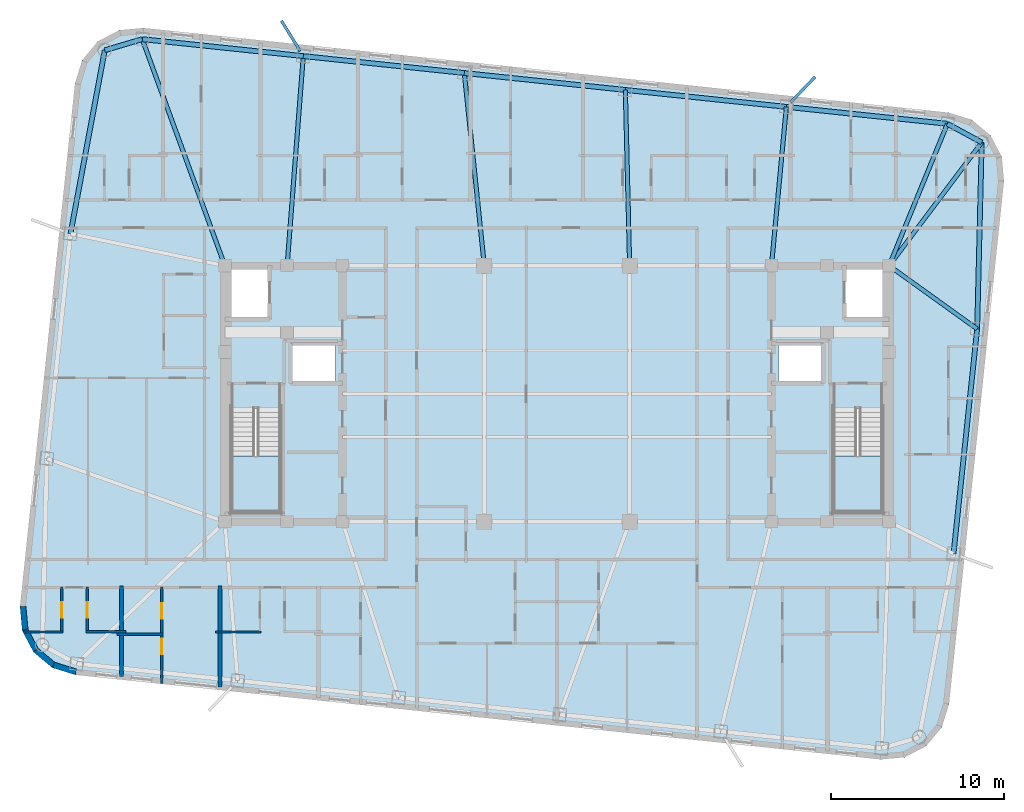
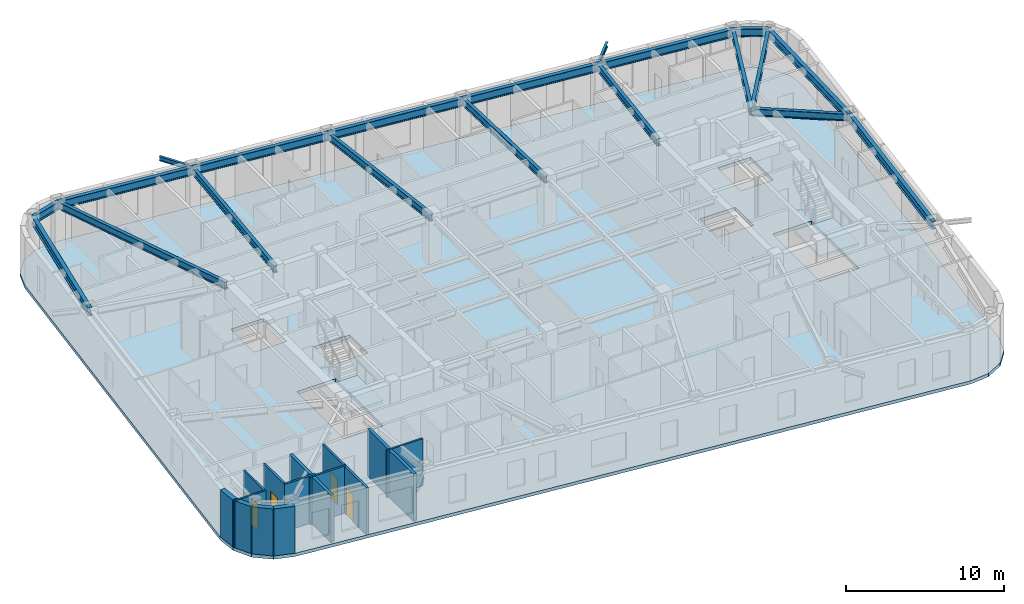
# One storey, part 2 of 11: 20 beams, 14 walls, 4 doors, 3 slabs, 4 openings, 2 elements without a shape of their own.
"""IFC4 building model written with IfcOpenShell, lengths in metres."""

from ifc_helpers import new_model, si_unit, direction, frame, frame_2d, origin, origin_2d, place, context, subcontext, project, spatial, polyline, rectangle, i_section, outline, extrude, material, layer, layer_set, material_profile, profile_set, type_object, element, fill, aggregate, save


model = new_model("IFC4")

# Units and contexts
model_context = context("Model", 3, precision=1e-05, world=origin(), true_north=direction((0.0, 1.0)))
body_context = subcontext(model_context, "Body", "Model", "MODEL_VIEW")
ifc_project = project(units=[si_unit("LENGTHUNIT", "METRE"), si_unit("AREAUNIT", "SQUARE_METRE"), si_unit("VOLUMEUNIT", "CUBIC_METRE"), si_unit("PLANEANGLEUNIT", "RADIAN"), si_unit("MASSUNIT", "GRAM", prefix="KILO")], contexts=[model_context])

# Site, building, storey
site_placement = place(None, origin())
site = spatial("IfcSite", under=ifc_project, at=site_placement, CompositionType="ELEMENT")
building_placement = place(site_placement, origin())
building = spatial("IfcBuilding", under=site, at=building_placement, Name="Voryun Gate Residences", CompositionType="ELEMENT")
storey_placement = place(building_placement, frame((0.0, 0.0, 287.300048828125)))
storey = spatial("IfcBuildingStorey", under=building, at=storey_placement, Name="L71", CompositionType="ELEMENT", Elevation=287.300048828125)

# Beams
ifc_material_1 = material(Name="Steel SM355", Category="steel")
ifc_material_profile_1 = material_profile(ifc_material_1, i_section(OverallWidth=0.169921875, OverallDepth=0.340087890625, WebThickness=0.008056640625, FlangeThickness=0.013916015625, FilletRadius=0.01806640625, at=origin_2d()), Name="H-340x170x8x14")
ifc_profile_set_1 = profile_set([ifc_material_profile_1], Name="Steel SM355")
beam_type_1 = type_object("IfcBeamType", Name="BM_BALC_EDGE", PredefinedType="JOIST", material=ifc_profile_set_1)
for number, where, z_axis, x_axis, name in (
    (1, (13.502197265625, 16.8359375, 3.46484375), (0.691211830003, 0.722652202698, 0.0), (-0.722652202698, 0.691211830003, 0.0), "BM-L71-BALBRK-N2"),
    (2, (-14.849853515625, 19.81591796875, 3.46484375), (-0.525903558597, 0.850544206408, 0.0), (-0.850544206408, -0.525903558597, 0.0), "BM-L71-BALBRK-N5"),
):
    element("IfcBeam", number, at=place(storey_placement, frame(where, z_axis=z_axis, x_axis=x_axis)), inside=storey, type_object=beam_type_1, Name=name, PredefinedType="JOIST", context=body_context, shape_type="SweptSolid", body=[
        extrude(i_section(OverallWidth=0.169921875, OverallDepth=0.340087890625, WebThickness=0.008056640625, FlangeThickness=0.013916015625, FilletRadius=0.01806640625, at=origin_2d()), origin(), (0.0, 0.0, 1.0), 2.050048828125),
    ])
ifc_material_2 = material(Name="Steel SM355", Category="steel")
ifc_material_profile_2 = material_profile(ifc_material_2, i_section(OverallWidth=0.280029296875, OverallDepth=0.6201171875, WebThickness=0.013916015625, FlangeThickness=0.02197265625, FilletRadius=0.01806640625, at=origin_2d()), Name="H-620x280x14x22")
ifc_profile_set_2 = profile_set([ifc_material_profile_2], Name="Steel SM355")
beam_type_2 = type_object("IfcBeamType", Name="BM_EXO_SPANDREL_H", PredefinedType="SPANDREL", material=ifc_profile_set_2)
beam_1_placement = place(storey_placement, frame((22.922607421875, -9.25244140625, 3.324951171875), z_axis=(0.104528209082, 0.994521922084, 0.0), x_axis=(-0.994521922084, 0.104528209082, 0.0)))
element("IfcBeam", 3, at=beam_1_placement, inside=storey, type_object=beam_type_2, Name="BM-L71-SPAND-08", PredefinedType="SPANDREL", context=body_context, shape_type="SweptSolid", body=[
    extrude(i_section(OverallWidth=0.280029296875, OverallDepth=0.6201171875, WebThickness=0.013916015625, FlangeThickness=0.02197265625, FilletRadius=0.01806640625, at=origin_2d()), origin(), (0.0, 0.0, 1.0), 13.06787109375),
])
beam_2_placement = place(storey_placement, frame((24.28857421875, 3.743896484375, 3.324951171875), z_axis=(0.024534711967, 0.999698978647, 0.0), x_axis=(-0.999698978647, 0.024534711967, 0.0)))
element("IfcBeam", 4, at=beam_2_placement, inside=storey, type_object=beam_type_2, Name="BM-L71-SPAND-09", PredefinedType="SPANDREL", context=body_context, shape_type="SweptSolid", body=[
    extrude(i_section(OverallWidth=0.280029296875, OverallDepth=0.6201171875, WebThickness=0.013916015625, FlangeThickness=0.02197265625, FilletRadius=0.01806640625, at=origin_2d()), origin(), (0.0, 0.0, 1.0), 10.78662109375),
])
beam_3_placement = place(storey_placement, frame((24.55322265625, 14.52734375, 3.324951171875), z_axis=(-0.878844363117, 0.477108567746, 0.0), x_axis=(-0.477108567746, -0.878844363117, 0.0)))
element("IfcBeam", 5, at=beam_3_placement, inside=storey, type_object=beam_type_2, Name="BM-L71-SPAND-10", PredefinedType="SPANDREL", context=body_context, shape_type="SweptSolid", body=[
    extrude(i_section(OverallWidth=0.280029296875, OverallDepth=0.6201171875, WebThickness=0.013916015625, FlangeThickness=0.02197265625, FilletRadius=0.01806640625, at=origin_2d()), origin(), (0.0, 0.0, 1.0), 2.257568359375),
])
beam_4_placement = place(storey_placement, frame((22.569091796875, 15.6044921875, 3.324951171875), z_axis=(-0.994520592114, 0.104540862157, 0.0), x_axis=(-0.104540862157, -0.994520592114, 0.0)))
element("IfcBeam", 6, at=beam_4_placement, inside=storey, type_object=beam_type_2, Name="BM-L71-SPAND-11", PredefinedType="SPANDREL", context=body_context, shape_type="SweptSolid", body=[
    extrude(i_section(OverallWidth=0.280029296875, OverallDepth=0.6201171875, WebThickness=0.013916015625, FlangeThickness=0.02197265625, FilletRadius=0.01806640625, at=origin_2d()), origin(), (0.0, 0.0, 1.0), 9.360107421875),
])
beam_5_placement = place(storey_placement, frame((13.26025390625, 16.5830078125, 3.324951171875), z_axis=(-0.994523018663, 0.104517775278, 0.0), x_axis=(-0.104517775278, -0.994523018663, 0.0)))
element("IfcBeam", 7, at=beam_5_placement, inside=storey, type_object=beam_type_2, Name="BM-L71-SPAND-12", PredefinedType="SPANDREL", context=body_context, shape_type="SweptSolid", body=[
    extrude(i_section(OverallWidth=0.280029296875, OverallDepth=0.6201171875, WebThickness=0.013916015625, FlangeThickness=0.02197265625, FilletRadius=0.01806640625, at=origin_2d()), origin(), (0.0, 0.0, 1.0), 9.35986328125),
])
for number, where, z_axis, x_axis, name in (
    (8, (3.95166015625, 17.561279296875, 3.324951171875), (-0.994520592114, 0.104540862157, 0.0), (-0.104540862157, -0.994520592114, 0.0), "BM-L71-SPAND-13"),
    (9, (-5.357177734375, 18.539794921875, 3.324951171875), (-0.994523303591, 0.104515064059, 0.0), (-0.104515064059, -0.994523303591, 0.0), "BM-L71-SPAND-14"),
):
    element("IfcBeam", number, at=place(storey_placement, frame(where, z_axis=z_axis, x_axis=x_axis)), inside=storey, type_object=beam_type_2, Name=name, PredefinedType="SPANDREL", context=body_context, shape_type="SweptSolid", body=[
        extrude(i_section(OverallWidth=0.280029296875, OverallDepth=0.6201171875, WebThickness=0.013916015625, FlangeThickness=0.02197265625, FilletRadius=0.01806640625, at=origin_2d()), origin(), (0.0, 0.0, 1.0), 9.360107421875),
    ])
beam_6_placement = place(storey_placement, frame((-14.666015625, 19.51806640625, 3.324951171875), z_axis=(-0.994520307047, 0.104543574031, 0.0), x_axis=(-0.104543574031, -0.994520307047, 0.0)))
element("IfcBeam", 10, at=beam_6_placement, inside=storey, type_object=beam_type_2, Name="BM-L71-SPAND-15", PredefinedType="SPANDREL", context=body_context, shape_type="SweptSolid", body=[
    extrude(i_section(OverallWidth=0.280029296875, OverallDepth=0.6201171875, WebThickness=0.013916015625, FlangeThickness=0.02197265625, FilletRadius=0.01806640625, at=origin_2d()), origin(), (0.0, 0.0, 1.0), 9.35986328125),
])
beam_7_placement = place(storey_placement, frame((-23.974609375, 20.49658203125, 3.324951171875), z_axis=(-0.958805748412, -0.28406255792, 0.0), x_axis=(0.28406255792, -0.958805748412, 0.0)))
element("IfcBeam", 11, at=beam_7_placement, inside=storey, type_object=beam_type_2, Name="BM-L71-SPAND-16", PredefinedType="SPANDREL", context=body_context, shape_type="SweptSolid", body=[
    extrude(i_section(OverallWidth=0.280029296875, OverallDepth=0.6201171875, WebThickness=0.013916015625, FlangeThickness=0.02197265625, FilletRadius=0.01806640625, at=origin_2d()), origin(), (0.0, 0.0, 1.0), 2.2578125),
])
beam_8_placement = place(storey_placement, frame((-26.139404296875, 19.855224609375, 3.324951171875), z_axis=(-0.183852585596, -0.982953827384, 0.0), x_axis=(0.982953827384, -0.183852585596, 0.0)))
element("IfcBeam", 12, at=beam_8_placement, inside=storey, type_object=beam_type_2, Name="BM-L71-SPAND-17", PredefinedType="SPANDREL", context=body_context, shape_type="SweptSolid", body=[
    extrude(i_section(OverallWidth=0.280029296875, OverallDepth=0.6201171875, WebThickness=0.013916015625, FlangeThickness=0.02197265625, FilletRadius=0.01806640625, at=origin_2d()), origin(), (0.0, 0.0, 1.0), 10.78662109375),
])
ifc_material_3 = material(Name="Steel SM355", Category="steel")
ifc_material_profile_3 = material_profile(ifc_material_3, i_section(OverallWidth=0.239990234375, OverallDepth=0.550048828125, WebThickness=0.011962890625, FlangeThickness=0.02001953125, FilletRadius=0.01806640625, at=origin_2d()), Name="H-550x240x12x20")
ifc_profile_set_3 = profile_set([ifc_material_profile_3], Name="Steel SM355")
beam_type_3 = type_object("IfcBeamType", Name="BM_GIRD_550", PredefinedType="USERDEFINED", material=ifc_profile_set_3)
beam_9_placement = place(storey_placement, frame((19.199951171875, 7.39990234375, 3.35986328125), z_axis=(0.81212442094, -0.583484297058, 0.0), x_axis=(0.583484297058, 0.81212442094, 0.0)))
element("IfcBeam", 13, at=beam_9_placement, inside=storey, type_object=beam_type_3, Name="BM-L71-RAD-E2", ObjectType="GIRDER", PredefinedType="USERDEFINED", context=body_context, shape_type="SweptSolid", body=[
    extrude(i_section(OverallWidth=0.239990234375, OverallDepth=0.550048828125, WebThickness=0.011962890625, FlangeThickness=0.02001953125, FilletRadius=0.01806640625, at=origin_2d()), origin(), (0.0, 0.0, 1.0), 6.265869140625),
])
beam_10_placement = place(storey_placement, frame((19.199951171875, 7.39990234375, 3.35986328125), z_axis=(0.60055201327, 0.799585692316, 0.0), x_axis=(-0.799585692316, 0.60055201327, 0.0)))
element("IfcBeam", 14, at=beam_10_placement, inside=storey, type_object=beam_type_3, Name="BM-L71-RAD-CNE", ObjectType="GIRDER", PredefinedType="USERDEFINED", context=body_context, shape_type="SweptSolid", body=[
    extrude(i_section(OverallWidth=0.239990234375, OverallDepth=0.550048828125, WebThickness=0.011962890625, FlangeThickness=0.02001953125, FilletRadius=0.01806640625, at=origin_2d()), origin(), (0.0, 0.0, 1.0), 8.913818359375),
])
beam_11_placement = place(storey_placement, frame((19.199951171875, 7.39990234375, 3.35986328125), z_axis=(0.379860811741, 0.925043655026, 0.0), x_axis=(-0.925043655026, 0.379860811741, 0.0)))
element("IfcBeam", 15, at=beam_11_placement, inside=storey, type_object=beam_type_3, Name="BM-L71-RAD-N1", ObjectType="GIRDER", PredefinedType="USERDEFINED", context=body_context, shape_type="SweptSolid", body=[
    extrude(i_section(OverallWidth=0.239990234375, OverallDepth=0.550048828125, WebThickness=0.011962890625, FlangeThickness=0.02001953125, FilletRadius=0.01806640625, at=origin_2d()), origin(), (0.0, 0.0, 1.0), 8.869384765625),
])
beam_12_placement = place(storey_placement, frame((12.39990234375, 7.39990234375, 3.35986328125), z_axis=(0.093280030115, 0.995639912811, 0.0), x_axis=(-0.995639912811, 0.093280030115, 0.0)))
element("IfcBeam", 16, at=beam_12_placement, inside=storey, type_object=beam_type_3, Name="BM-L71-RAD-N2", ObjectType="GIRDER", PredefinedType="USERDEFINED", context=body_context, shape_type="SweptSolid", body=[
    extrude(i_section(OverallWidth=0.239990234375, OverallDepth=0.550048828125, WebThickness=0.011962890625, FlangeThickness=0.02001953125, FilletRadius=0.01806640625, at=origin_2d()), origin(), (0.0, 0.0, 1.0), 9.223388671875),
])
beam_13_placement = place(storey_placement, frame((4.199951171875, 7.39990234375, 3.35986328125), z_axis=(-0.024427489288, 0.999701604364, 0.0), x_axis=(-0.999701604364, -0.024427489288, 0.0)))
element("IfcBeam", 17, at=beam_13_placement, inside=storey, type_object=beam_type_3, Name="BM-L71-RAD-N3", ObjectType="GIRDER", PredefinedType="USERDEFINED", context=body_context, shape_type="SweptSolid", body=[
    extrude(i_section(OverallWidth=0.239990234375, OverallDepth=0.550048828125, WebThickness=0.011962890625, FlangeThickness=0.02001953125, FilletRadius=0.01806640625, at=origin_2d()), origin(), (0.0, 0.0, 1.0), 10.164306640625),
])
beam_14_placement = place(storey_placement, frame((-4.199951171875, 7.39990234375, 3.35986328125), z_axis=(-0.103325291149, 0.994647618109, 0.0), x_axis=(-0.994647618109, -0.103325291149, 0.0)))
element("IfcBeam", 18, at=beam_14_placement, inside=storey, type_object=beam_type_3, Name="BM-L71-RAD-N4", ObjectType="GIRDER", PredefinedType="USERDEFINED", context=body_context, shape_type="SweptSolid", body=[
    extrude(i_section(OverallWidth=0.239990234375, OverallDepth=0.550048828125, WebThickness=0.011962890625, FlangeThickness=0.02001953125, FilletRadius=0.01806640625, at=origin_2d()), origin(), (0.0, 0.0, 1.0), 11.199951171875),
])
beam_15_placement = place(storey_placement, frame((-15.60009765625, 7.39990234375, 3.35986328125), z_axis=(0.07685317718, 0.997042420942, 0.0), x_axis=(-0.997042420942, 0.07685317718, 0.0)))
element("IfcBeam", 19, at=beam_15_placement, inside=storey, type_object=beam_type_3, Name="BM-L71-RAD-N5", ObjectType="GIRDER", PredefinedType="USERDEFINED", context=body_context, shape_type="SweptSolid", body=[
    extrude(i_section(OverallWidth=0.239990234375, OverallDepth=0.550048828125, WebThickness=0.011962890625, FlangeThickness=0.02001953125, FilletRadius=0.01806640625, at=origin_2d()), origin(), (0.0, 0.0, 1.0), 12.154052734375),
])
beam_16_placement = place(storey_placement, frame((-19.199951171875, 7.39990234375, 3.35986328125), z_axis=(-0.342517773666, 0.939511348906, 0.0), x_axis=(-0.939511348906, -0.342517773666, 0.0)))
element("IfcBeam", 20, at=beam_16_placement, inside=storey, type_object=beam_type_3, Name="BM-L71-RAD-N6", ObjectType="GIRDER", PredefinedType="USERDEFINED", context=body_context, shape_type="SweptSolid", body=[
    extrude(i_section(OverallWidth=0.239990234375, OverallDepth=0.550048828125, WebThickness=0.011962890625, FlangeThickness=0.02001953125, FilletRadius=0.01806640625, at=origin_2d()), origin(), (0.0, 0.0, 1.0), 13.93994140625),
])

# Slab
ifc_material_4 = material(Name="Concrete C40/50", Category="concrete")
ifc_layer_1 = layer(ifc_material_4, 0.25, Name="SLB_RES_250")
ifc_layer_set_1 = layer_set([ifc_layer_1], Name="Concrete C40/50")
slab_type_1 = type_object("IfcSlabType", Name="SLB_RES_250", PredefinedType="FLOOR", material=ifc_layer_set_1)
slab_1_placement = place(storey_placement, frame((0.0, 0.0, -0.25)))
element("IfcSlab", 21, at=slab_1_placement, inside=storey, type_object=slab_type_1, Name="L71 Structural Floor Slab", PredefinedType="FLOOR", context=body_context, shape_type="SweptSolid", body=[
    extrude(outline(polyline([(-27.8369140625, -16.2509765625), (-29.178466796875, -15.83447265625), (-30.25830078125, -14.936279296875), (-30.912353515625, -13.693115234375), (-31.041015625, -12.29443359375), (-27.86328125, 17.93896484375), (-27.44677734375, 19.280517578125), (-26.548583984375, 20.3603515625), (-25.305419921875, 21.014404296875), (-23.90673828125, 21.14306640625), (22.636962890625, 16.2509765625), (23.978515625, 15.83447265625), (25.058349609375, 14.936279296875), (25.71240234375, 13.693115234375), (25.8408203125, 12.29443359375), (22.663330078125, -17.93896484375), (22.246826171875, -19.280517578125), (21.3486328125, -20.3603515625), (20.10546875, -21.014404296875), (18.706787109375, -21.14306640625), (-27.8369140625, -16.2509765625)]), holes=[polyline([(-15.97509765625, -0.840087890625), (-18.824951171875, -0.840087890625), (-18.824951171875, -6.85009765625), (-15.97509765625, -6.85009765625), (-15.97509765625, -0.840087890625)]), polyline([(18.824951171875, -6.85009765625), (18.824951171875, -0.840087890625), (15.97509765625, -0.840087890625), (15.97509765625, -6.85009765625), (18.824951171875, -6.85009765625)]), polyline([(-12.800048828125, 2.89990234375), (-15.39990234375, 2.89990234375), (-15.39990234375, 0.60009765625), (-12.800048828125, 0.60009765625), (-12.800048828125, 2.89990234375)]), polyline([(12.800048828125, 2.89990234375), (12.800048828125, 0.60009765625), (15.39990234375, 0.60009765625), (15.39990234375, 2.89990234375), (12.800048828125, 2.89990234375)]), polyline([(-16.60009765625, 7.199951171875), (-19.0, 7.199951171875), (-19.0, 4.300048828125), (-16.60009765625, 4.300048828125), (-16.60009765625, 7.199951171875)]), polyline([(19.0, 7.199951171875), (16.60009765625, 7.199951171875), (16.60009765625, 4.300048828125), (19.0, 4.300048828125), (19.0, 7.199951171875)])]), origin(), (0.0, 0.0, 1.0), 0.25),
])

# Stair, slab
ifc_material_5 = material(Name="Concrete C40/50", Category="concrete")
stair_type = type_object("IfcStairType", Name="STR_CORE_DOGLEG_1350", PredefinedType="HALF_TURN_STAIR", material=ifc_material_5)
stair_1_placement = place(storey_placement, origin())
stair_1 = element("IfcStair", 22, at=stair_1_placement, inside=storey, type_object=stair_type, Name="L71 Special Escape Stair ST-W1", PredefinedType="HALF_TURN_STAIR")
ifc_material_6 = material(Name="Concrete C40/50", Category="concrete")
ifc_layer_2 = layer(ifc_material_6, 0.199951171875, Name="SLB_STAIR_LANDING_200")
ifc_layer_set_2 = layer_set([ifc_layer_2], Name="Concrete C40/50")
slab_type_2 = type_object("IfcSlabType", Name="SLB_STAIR_LANDING_200", PredefinedType="LANDING", material=ifc_layer_set_2)
slab_2_placement = place(storey_placement, frame((0.0, 0.0, 1.75)))
slab_2 = element("IfcSlab", 23, at=slab_2_placement, type_object=slab_type_2, Name="ST-W1 landing 1", PredefinedType="LANDING", context=body_context, shape_type="SweptSolid", body=[
    extrude(outline(polyline([(-18.824951171875, -3.60009765625), (-18.824951171875, -6.85009765625), (-15.97509765625, -6.85009765625), (-15.97509765625, -3.60009765625), (-18.824951171875, -3.60009765625)])), origin(), (0.0, 0.0, 1.0), 0.199951171875),
])
aggregate(stair_1, [slab_2])

stair_2_placement = place(storey_placement, origin())
stair_2 = element("IfcStair", 24, at=stair_2_placement, inside=storey, type_object=stair_type, Name="L71 Special Escape Stair ST-E1", PredefinedType="HALF_TURN_STAIR")
slab_3_placement = place(storey_placement, frame((0.0, 0.0, 1.75)))
slab_3 = element("IfcSlab", 25, at=slab_3_placement, type_object=slab_type_2, Name="ST-E1 landing 1", PredefinedType="LANDING", context=body_context, shape_type="SweptSolid", body=[
    extrude(outline(polyline([(15.97509765625, -3.60009765625), (15.97509765625, -6.85009765625), (18.824951171875, -6.85009765625), (18.824951171875, -3.60009765625), (15.97509765625, -3.60009765625)])), origin(), (0.0, 0.0, 1.0), 0.199951171875),
])
aggregate(stair_2, [slab_3])

# Walls
ifc_material_7 = material(Name="Charcoal terracotta masonry", Category="masonry")
ifc_layer_3 = layer(ifc_material_7, 0.340087890625, Name="W_EXT_TERRACOTTA_340")
ifc_layer_set_3 = layer_set([ifc_layer_3], Name="Charcoal terracotta masonry")
wall_type_1 = type_object("IfcWallType", Name="W_EXT_TERRACOTTA_340", PredefinedType="ELEMENTEDWALL", material=ifc_layer_set_3)
wall_1_placement = place(storey_placement, frame((-27.802490234375, -16.083740234375, 0.0), z_axis=(0.0, 0.0, 1.0), x_axis=(-0.955007802701, 0.296580674994, 0.0)))
element("IfcWall", 26, at=wall_1_placement, inside=storey, type_object=wall_type_1, Name="Exterior wall WEXT-L71-02", PredefinedType="ELEMENTEDWALL", context=body_context, shape_type="SweptSolid", body=[
    extrude(rectangle(XDim=1.354248046875, YDim=0.340087890625, at=frame_2d((0.67724609375, 0.0))), origin(), (0.0, 0.0, 1.0), 3.635009765625),
])
wall_2_placement = place(storey_placement, frame((-29.095703125, -15.68212890625, 0.0), z_axis=(0.0, 0.0, 1.0), x_axis=(-0.768864427906, 0.639411832469, 0.0)))
element("IfcWall", 27, at=wall_2_placement, inside=storey, type_object=wall_type_1, Name="Exterior wall WEXT-L71-03", PredefinedType="ELEMENTEDWALL", context=body_context, shape_type="SweptSolid", body=[
    extrude(rectangle(XDim=1.337158203125, YDim=0.340087890625, at=frame_2d((0.66845703125, 0.0))), origin(), (0.0, 0.0, 1.0), 3.635009765625),
])
wall_3_placement = place(storey_placement, frame((-30.123779296875, -14.8271484375, 0.0), z_axis=(0.0, 0.0, 1.0), x_axis=(-0.465528132217, 0.885033083062, 0.0)))
element("IfcWall", 28, at=wall_3_placement, inside=storey, type_object=wall_type_1, Name="Exterior wall WEXT-L71-04", PredefinedType="ELEMENTEDWALL", context=body_context, shape_type="SweptSolid", body=[
    extrude(rectangle(XDim=1.3369140625, YDim=0.340087890625, at=frame_2d((0.66845703125, 0.0))), origin(), (0.0, 0.0, 1.0), 3.635009765625),
])
wall_4_placement = place(storey_placement, frame((-30.74609375, -13.64404296875, 0.0), z_axis=(0.0, 0.0, 1.0), x_axis=(-0.091592370975, 0.995796584438, 0.0)))
element("IfcWall", 29, at=wall_4_placement, inside=storey, type_object=wall_type_1, Name="Exterior wall WEXT-L71-05", PredefinedType="ELEMENTEDWALL", context=body_context, shape_type="SweptSolid", body=[
    extrude(rectangle(XDim=1.35400390625, YDim=0.340087890625, at=frame_2d((0.677001953125, 0.0))), origin(), (0.0, 0.0, 1.0), 3.635009765625),
])
ifc_material_8 = material(Name="Concrete C40/50", Category="concrete")
ifc_layer_4 = layer(ifc_material_8, 0.219970703125, Name="W_PARTY_ACOUSTIC_220")
ifc_layer_set_4 = layer_set([ifc_layer_4], Name="Concrete C40/50")
wall_type_2 = type_object("IfcWallType", Name="W_PARTY_ACOUSTIC_220", PredefinedType="PARTITIONING", material=ifc_layer_set_4)
wall_5_placement = place(storey_placement, frame((-25.177978515625, -16.359619140625, 0.0), z_axis=(0.0, 0.0, 1.0), x_axis=(0.0, 1.0, 0.0)))
element("IfcWall", 30, at=wall_5_placement, inside=storey, type_object=wall_type_2, Name="Partition wall WP-L71-SPTY-1", PredefinedType="PARTITIONING", context=body_context, shape_type="SweptSolid", body=[
    extrude(rectangle(XDim=5.239501953125, YDim=0.219970703125, at=frame_2d((2.61962890625, 0.0))), origin(), (0.0, 0.0, 1.0), 3.635009765625),
])
wall_6_placement = place(storey_placement, frame((-19.47802734375, -16.958740234375, 0.0), z_axis=(0.0, 0.0, 1.0), x_axis=(0.0, 1.0, 0.0)))
element("IfcWall", 31, at=wall_6_placement, inside=storey, type_object=wall_type_2, Name="Partition wall WP-L71-SPTY-2", PredefinedType="PARTITIONING", context=body_context, shape_type="SweptSolid", body=[
    extrude(rectangle(XDim=5.838623046875, YDim=0.219970703125, at=frame_2d((2.91943359375, 0.0))), origin(), (0.0, 0.0, 1.0), 3.635009765625),
])

# Wall, opening, door
ifc_material_9 = material(Name="Gypsum acoustic partition")
ifc_layer_5 = layer(ifc_material_9, 0.125, Name="W_UNIT_PART_125")
ifc_layer_set_5 = layer_set([ifc_layer_5], Name="Gypsum acoustic partition")
wall_type_3 = type_object("IfcWallType", Name="W_UNIT_PART_125", PredefinedType="PARTITIONING", material=ifc_layer_set_5)
wall_7_placement = place(storey_placement, frame((-28.626953125, -13.830078125, 0.0), z_axis=(0.0, 0.0, 1.0), x_axis=(0.0, 1.0, 0.0)))
wall_7 = element("IfcWall", 32, at=wall_7_placement, inside=storey, type_object=wall_type_3, Name="Partition wall WP-L71-S1-CVK", PredefinedType="PARTITIONING", context=body_context, shape_type="SweptSolid", body=[
    extrude(rectangle(XDim=2.650146484375, YDim=0.125, at=frame_2d((1.3251953125, 0.0))), origin(), (0.0, 0.0, 1.0), 3.635009765625),
])
opening_1_placement = place(wall_7_placement, frame((0.875, 0.0, 0.0)))
opening_1 = element("IfcOpeningElement", 33, at=opening_1_placement, cuts=wall_7, Name="Opening D-INT-2", PredefinedType="OPENING", context=body_context, shape_type="SweptSolid", body=[
    extrude(rectangle(XDim=0.89990234375, YDim=2.050048828125, at=frame_2d((0.449951171875, 1.02490234375))), frame((0.0, 0.072509765625, 0.0), z_axis=(0.0, -1.0, 0.0), x_axis=(1.0, 0.0, 0.0)), (0.0, 0.0, 1.0), 0.14501953125),
])
ifc_material_10 = material(Name="Architectural oak veneer")
door_type = type_object("IfcDoorType", Name="DR_INT_BATH_900", OperationType="NOTDEFINED", PredefinedType="DOOR", material=ifc_material_10)
door_1_placement = place(opening_1_placement, origin())
door_1 = element("IfcDoor", 34, at=door_1_placement, inside=storey, type_object=door_type, Name="Door DR-L71-S1-DK", OperationType="SINGLE_SWING_LEFT", OverallHeight=2.050048828125, OverallWidth=0.89990234375, PredefinedType="DOOR", context=body_context, shape_type="SweptSolid", body=[
    extrude(rectangle(XDim=0.89990234375, YDim=2.050048828125, at=frame_2d((0.449951171875, 1.02490234375))), frame((0.0, 0.02490234375, 0.0), z_axis=(0.0, -1.0, 0.0), x_axis=(1.0, 0.0, 0.0)), (0.0, 0.0, 1.0), 0.050048828125),
])
fill(opening_1, door_1)

# Walls
wall_8_placement = place(storey_placement, frame((-30.849365234375, -13.77001953125, 0.0), z_axis=(0.0, 0.0, 1.0), x_axis=(1.0, 0.0, 0.0)))
element("IfcWall", 35, at=wall_8_placement, inside=storey, type_object=wall_type_3, Name="Partition wall WP-L71-S1-CHK", PredefinedType="PARTITIONING", context=body_context, shape_type="SweptSolid", body=[
    extrude(rectangle(XDim=2.282470703125, YDim=0.125, at=frame_2d((1.14111328125, 0.0))), origin(), (0.0, 0.0, 1.0), 3.635009765625),
])
wall_9_placement = place(storey_placement, frame((-19.738037109375, -13.77001953125, 0.0), z_axis=(0.0, 0.0, 1.0), x_axis=(1.0, 0.0, 0.0)))
element("IfcWall", 36, at=wall_9_placement, inside=storey, type_object=wall_type_3, Name="Partition wall WP-L71-S3-CHK", PredefinedType="PARTITIONING", context=body_context, shape_type="SweptSolid", body=[
    extrude(rectangle(XDim=2.630126953125, YDim=0.125, at=frame_2d((1.31494140625, 0.0))), origin(), (0.0, 0.0, 1.0), 3.635009765625),
])

# Wall, opening, door
ifc_material_11 = material(Name="Gypsum moisture-resistant partition")
ifc_layer_6 = layer(ifc_material_11, 0.14990234375, Name="W_WET_PLUMB_150")
ifc_layer_set_6 = layer_set([ifc_layer_6], Name="Gypsum moisture-resistant partition")
wall_type_4 = type_object("IfcWallType", Name="W_WET_PLUMB_150", PredefinedType="PLUMBINGWALL", material=ifc_layer_set_6)
wall_10_placement = place(storey_placement, frame((-27.155029296875, -13.830078125, 0.0), z_axis=(0.0, 0.0, 1.0), x_axis=(0.0, 1.0, 0.0)))
wall_10 = element("IfcWall", 37, at=wall_10_placement, inside=storey, type_object=wall_type_4, Name="Partition wall WP-L71-S1-CVB", PredefinedType="PLUMBINGWALL", context=body_context, shape_type="SweptSolid", body=[
    extrude(rectangle(XDim=2.650146484375, YDim=0.14990234375, at=frame_2d((1.3251953125, 0.0))), origin(), (0.0, 0.0, 1.0), 3.635009765625),
])
opening_2_placement = place(wall_10_placement, frame((0.875, 0.0, 0.0)))
opening_2 = element("IfcOpeningElement", 38, at=opening_2_placement, cuts=wall_10, Name="Opening D-INT-2", PredefinedType="OPENING", context=body_context, shape_type="SweptSolid", body=[
    extrude(rectangle(XDim=0.89990234375, YDim=2.050048828125, at=frame_2d((0.449951171875, 1.02490234375))), frame((0.0, 0.0849609375, 0.0), z_axis=(0.0, -1.0, 0.0), x_axis=(1.0, 0.0, 0.0)), (0.0, 0.0, 1.0), 0.169921875),
])
door_2_placement = place(opening_2_placement, origin())
door_2 = element("IfcDoor", 39, at=door_2_placement, inside=storey, type_object=door_type, Name="Door DR-L71-S1-DB", OperationType="SINGLE_SWING_RIGHT", OverallHeight=2.050048828125, OverallWidth=0.89990234375, PredefinedType="DOOR", context=body_context, shape_type="SweptSolid", body=[
    extrude(rectangle(XDim=0.89990234375, YDim=2.050048828125, at=frame_2d((0.449951171875, 1.02490234375))), frame((0.0, 0.02490234375, 0.0), z_axis=(0.0, -1.0, 0.0), x_axis=(1.0, 0.0, 0.0)), (0.0, 0.0, 1.0), 0.050048828125),
])
fill(opening_2, door_2)

# Walls
wall_11_placement = place(storey_placement, frame((-27.215087890625, -13.77001953125, 0.0), z_axis=(0.0, 0.0, 1.0), x_axis=(1.0, 0.0, 0.0)))
element("IfcWall", 40, at=wall_11_placement, inside=storey, type_object=wall_type_4, Name="Partition wall WP-L71-S1-CHB", PredefinedType="PLUMBINGWALL", context=body_context, shape_type="SweptSolid", body=[
    extrude(rectangle(XDim=2.297119140625, YDim=0.14990234375, at=frame_2d((1.1484375, 0.0))), origin(), (0.0, 0.0, 1.0), 3.635009765625),
])
wall_12_placement = place(storey_placement, frame((-25.43798828125, -13.89990234375, 0.0), z_axis=(0.0, 0.0, 1.0), x_axis=(1.0, 0.0, 0.0)))
element("IfcWall", 41, at=wall_12_placement, inside=storey, type_object=wall_type_4, Name="Partition wall WP-L71-S2-SKB", PredefinedType="PLUMBINGWALL", context=body_context, shape_type="SweptSolid", body=[
    extrude(rectangle(XDim=2.6708984375, YDim=0.14990234375, at=frame_2d((1.33544921875, 0.0))), origin(), (0.0, 0.0, 1.0), 3.635009765625),
])

# Wall, opening, door
wall_13_placement = place(storey_placement, frame((-22.846923828125, -16.75537109375, 0.0), z_axis=(0.0, 0.0, 1.0), x_axis=(0.0, 1.0, 0.0)))
wall_13 = element("IfcWall", 42, at=wall_13_placement, inside=storey, type_object=wall_type_4, Name="Partition wall WP-L71-S2-SVT1", PredefinedType="PLUMBINGWALL", context=body_context, shape_type="SweptSolid", body=[
    extrude(rectangle(XDim=2.895263671875, YDim=0.14990234375, at=frame_2d((1.44775390625, 0.0))), origin(), (0.0, 0.0, 1.0), 3.635009765625),
])
opening_3_placement = place(wall_13_placement, frame((1.7041015625, 0.0, 0.0)))
opening_3 = element("IfcOpeningElement", 43, at=opening_3_placement, cuts=wall_13, Name="Opening D-INT-2", PredefinedType="OPENING", context=body_context, shape_type="SweptSolid", body=[
    extrude(rectangle(XDim=0.89990234375, YDim=2.050048828125, at=frame_2d((0.449951171875, 1.02490234375))), frame((0.0, 0.0849609375, 0.0), z_axis=(0.0, -1.0, 0.0), x_axis=(1.0, 0.0, 0.0)), (0.0, 0.0, 1.0), 0.169921875),
])
door_3_placement = place(opening_3_placement, origin())
door_3 = element("IfcDoor", 44, at=door_3_placement, inside=storey, type_object=door_type, Name="Door DR-L71-S2-DK", OperationType="SINGLE_SWING_LEFT", OverallHeight=2.050048828125, OverallWidth=0.89990234375, PredefinedType="DOOR", context=body_context, shape_type="SweptSolid", body=[
    extrude(rectangle(XDim=0.89990234375, YDim=2.050048828125, at=frame_2d((0.449951171875, 1.02490234375))), frame((0.0, 0.02490234375, 0.0), z_axis=(0.0, -1.0, 0.0), x_axis=(1.0, 0.0, 0.0)), (0.0, 0.0, 1.0), 0.050048828125),
])
fill(opening_3, door_3)

wall_14_placement = place(storey_placement, frame((-22.846923828125, -13.93994140625, 0.0), z_axis=(0.0, 0.0, 1.0), x_axis=(0.0, 1.0, 0.0)))
wall_14 = element("IfcWall", 45, at=wall_14_placement, inside=storey, type_object=wall_type_4, Name="Partition wall WP-L71-S2-SVT2", PredefinedType="PLUMBINGWALL", context=body_context, shape_type="SweptSolid", body=[
    extrude(rectangle(XDim=2.760009765625, YDim=0.14990234375, at=frame_2d((1.3798828125, 0.0))), origin(), (0.0, 0.0, 1.0), 3.635009765625),
])
opening_4_placement = place(wall_14_placement, frame((0.929931640625, 0.0, 0.0)))
opening_4 = element("IfcOpeningElement", 46, at=opening_4_placement, cuts=wall_14, Name="Opening D-INT-2", PredefinedType="OPENING", context=body_context, shape_type="SweptSolid", body=[
    extrude(rectangle(XDim=0.89990234375, YDim=2.050048828125, at=frame_2d((0.449951171875, 1.02490234375))), frame((0.0, 0.0849609375, 0.0), z_axis=(0.0, -1.0, 0.0), x_axis=(1.0, 0.0, 0.0)), (0.0, 0.0, 1.0), 0.169921875),
])
door_4_placement = place(opening_4_placement, origin())
door_4 = element("IfcDoor", 47, at=door_4_placement, inside=storey, type_object=door_type, Name="Door DR-L71-S2-DB", OperationType="SINGLE_SWING_RIGHT", OverallHeight=2.050048828125, OverallWidth=0.89990234375, PredefinedType="DOOR", context=body_context, shape_type="SweptSolid", body=[
    extrude(rectangle(XDim=0.89990234375, YDim=2.050048828125, at=frame_2d((0.449951171875, 1.02490234375))), frame((0.0, 0.02490234375, 0.0), z_axis=(0.0, -1.0, 0.0), x_axis=(1.0, 0.0, 0.0)), (0.0, 0.0, 1.0), 0.050048828125),
])
fill(opening_4, door_4)

save(model, "model.ifc")
